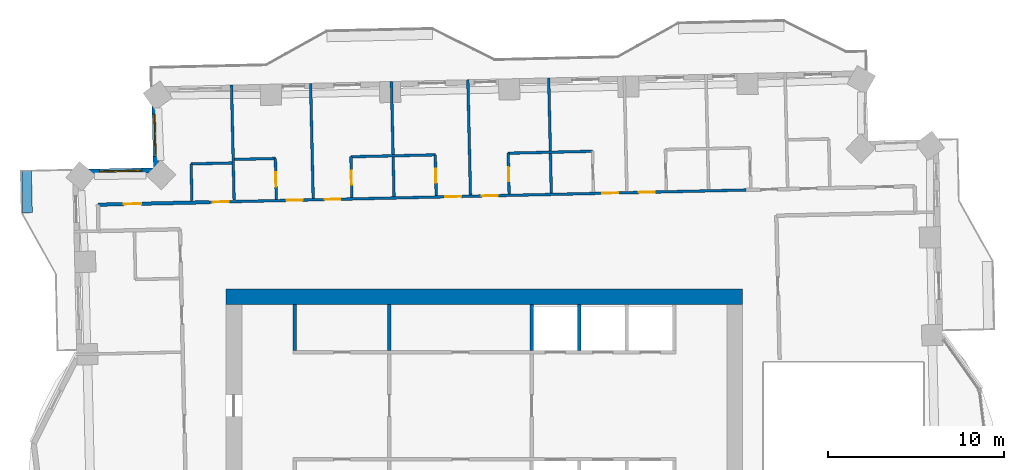
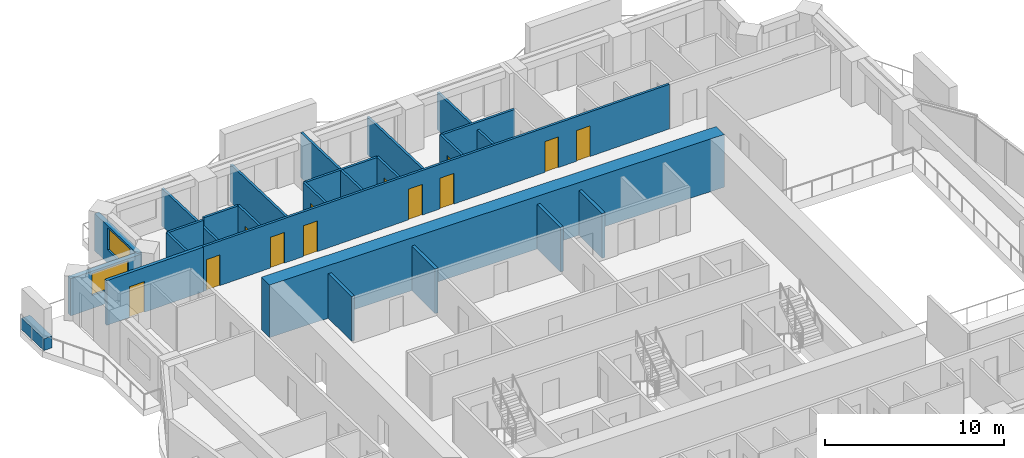
# One storey, part 10 of 16: 24 walls, 12 doors, 2 windows, 14 openings.
"""IFC4 building model written with IfcOpenShell, lengths in metres."""

from ifc_helpers import new_model, si_unit, direction, frame, frame_2d, origin, place, context, subcontext, project, spatial, rectangle, extrude, material, layer, layer_set, type_object, element, fill, save


model = new_model("IFC4")

# Units and contexts
model_context = context("Model", 3, precision=1e-05, world=origin(), true_north=direction((0.0, 1.0)))
body_context = subcontext(model_context, "Body", "Model", "MODEL_VIEW")
ifc_project = project(units=[si_unit("LENGTHUNIT", "METRE"), si_unit("AREAUNIT", "SQUARE_METRE"), si_unit("VOLUMEUNIT", "CUBIC_METRE"), si_unit("PLANEANGLEUNIT", "RADIAN"), si_unit("MASSUNIT", "GRAM", prefix="KILO")], contexts=[model_context])

# Site, building, storey
site_placement = place(None, origin())
site = spatial("IfcSite", under=ifc_project, at=site_placement, CompositionType="ELEMENT")
building_placement = place(site_placement, origin())
building = spatial("IfcBuilding", under=site, at=building_placement, Name="Mangrove Gate Tower", CompositionType="ELEMENT")
storey_placement = place(building_placement, frame((0.0, 0.0, 175.300048828125)))
storey = spatial("IfcBuildingStorey", under=building, at=storey_placement, Name="L44", CompositionType="ELEMENT", Elevation=175.300048828125)

# Walls
ifc_material_1 = material(Name="Concrete C32/40", Category="concrete")
ifc_layer_1 = layer(ifc_material_1, 0.199951171875)
ifc_layer_set_1 = layer_set([ifc_layer_1], Name="Core room wall 200 C32/40")
wall_type_1 = type_object("IfcWallType", Name="Core room wall 200 C32/40", PredefinedType="STANDARD", material=ifc_layer_set_1)
for number, where, z_axis, x_axis, name in (
    (1, (-10.800048828125, 8.199951171875, 0.0), (0.0, 0.0, 1.0), (0.0, 1.0, 0.0), "WALL-L44-CORE-25"),
    (2, (-5.39990234375, 8.199951171875, 0.0), (0.0, 0.0, 1.0), (0.0, 1.0, 0.0), "WALL-L44-CORE-26"),
):
    element("IfcWall", number, at=place(storey_placement, frame(where, z_axis=z_axis, x_axis=x_axis)), inside=storey, type_object=wall_type_1, Name=name, PredefinedType="STANDARD", context=body_context, shape_type="SweptSolid", body=[
        extrude(rectangle(XDim=2.60009765625, YDim=0.199951171875, at=frame_2d((1.300048828125, 0.0))), origin(), (0.0, 0.0, 1.0), 3.050048828125),
    ])
ifc_material_2 = material(Name="Concrete C60/75", Category="concrete")
ifc_layer_2 = layer(ifc_material_2, 0.199951171875)
ifc_layer_set_2 = layer_set([ifc_layer_2], Name="Core shaft wall 200 C60/75")
wall_type_2 = type_object("IfcWallType", Name="Core shaft wall 200 C60/75", PredefinedType="SHEAR", material=ifc_layer_set_2)
for number, where, z_axis, x_axis, name in (
    (3, (2.699951171875, 8.199951171875, 0.0), (0.0, 0.0, 1.0), (0.0, 1.0, 0.0), "WALL-L44-CORE-27"),
    (4, (5.39990234375, 8.199951171875, 0.0), (0.0, 0.0, 1.0), (0.0, 1.0, 0.0), "WALL-L44-CORE-28"),
):
    element("IfcWall", number, at=place(storey_placement, frame(where, z_axis=z_axis, x_axis=x_axis)), inside=storey, type_object=wall_type_2, Name=name, PredefinedType="SHEAR", context=body_context, shape_type="SweptSolid", body=[
        extrude(rectangle(XDim=2.60009765625, YDim=0.199951171875, at=frame_2d((1.300048828125, 0.0))), origin(), (0.0, 0.0, 1.0), 3.050048828125),
    ])
ifc_material_3 = material(Name="Concrete C60/75", Category="concrete")
ifc_layer_3 = layer(ifc_material_3, 0.89990234375)
ifc_layer_set_3 = layer_set([ifc_layer_3], Name="Core wall 900 C60/75")
wall_type_3 = type_object("IfcWallType", Name="Core wall 900 C60/75", PredefinedType="SHEAR", material=ifc_layer_set_3)
wall_1_placement = place(storey_placement, frame((-14.699951171875, 11.25, 0.0), z_axis=(0.0, 0.0, 1.0), x_axis=(1.0, 0.0, 0.0)))
element("IfcWall", 5, at=wall_1_placement, inside=storey, type_object=wall_type_3, Name="WALL-L44-CORE-2", PredefinedType="SHEAR", context=body_context, shape_type="SweptSolid", body=[
    extrude(rectangle(XDim=29.39990234375, YDim=0.89990234375, at=frame_2d((14.699951171875, 0.0))), origin(), (0.0, 0.0, 1.0), 3.599853515625),
])

# Wall, opening, door
ifc_material_4 = material(Name="Gypsum board on steel stud, EI 60", Category="steel")
ifc_layer_4 = layer(ifc_material_4, 0.199951171875)
ifc_layer_set_4 = layer_set([ifc_layer_4], Name="Corridor wall EI 60")
wall_type_4 = type_object("IfcWallType", Name="Corridor wall EI 60", PredefinedType="PARTITIONING", material=ifc_layer_set_4)
wall_2_placement = place(storey_placement, frame((-21.98291015625, 16.489013671875, 0.0), z_axis=(0.0, 0.0, 1.0), x_axis=(0.999744930163, 0.022584831499, 0.0)))
wall_2 = element("IfcWall", 6, at=wall_2_placement, inside=storey, type_object=wall_type_4, Name="WALL-L44-048", PredefinedType="PARTITIONING", context=body_context, shape_type="SweptSolid", body=[
    extrude(rectangle(XDim=6.334716796875, YDim=0.199951171875, at=frame_2d((3.16748046875, 0.0))), origin(), (0.0, 0.0, 1.0), 3.050048828125),
])
opening_1_placement = place(wall_2_placement, frame((1.47509765625, 0.0, 0.0)))
opening_1 = element("IfcOpeningElement", 7, at=opening_1_placement, cuts=wall_2, Name="Opening AD", PredefinedType="OPENING", context=body_context, shape_type="SweptSolid", body=[
    extrude(rectangle(XDim=1.0, YDim=2.10009765625, at=frame_2d((0.5, 1.050048828125))), frame((0.0, 0.10986328125, 0.0), z_axis=(0.0, -1.0, 0.0), x_axis=(1.0, 0.0, 0.0)), (0.0, 0.0, 1.0), 0.219970703125),
])
ifc_material_5 = material(Name="Timber door leaf", Category="wood")
door_type_1 = type_object("IfcDoorType", Name="Amenity door 1000", OperationType="SINGLE_SWING_LEFT", PredefinedType="DOOR", material=ifc_material_5)
door_1_placement = place(opening_1_placement, origin())
door_1 = element("IfcDoor", 8, at=door_1_placement, inside=storey, type_object=door_type_1, Name="DOOR-L44-KIT-c5a", OperationType="SINGLE_SWING_RIGHT", OverallHeight=2.10009765625, OverallWidth=1.0, PredefinedType="DOOR", context=body_context, shape_type="SweptSolid", body=[
    extrude(rectangle(XDim=1.0, YDim=2.10009765625, at=frame_2d((0.5, 1.050048828125))), frame((0.0, 0.02490234375, 0.0), z_axis=(0.0, -1.0, 0.0), x_axis=(1.0, 0.0, 0.0)), (0.0, 0.0, 1.0), 0.050048828125),
])
fill(opening_1, door_1)

# Wall, opening, window
ifc_material_6 = material(Name="Limestone", Category="masonry")
ifc_layer_5 = layer(ifc_material_6, 0.0400390625, Name="Limestone cladding")
ifc_material_7 = material(Name="Ventilated air gap")
ifc_layer_6 = layer(ifc_material_7, 0.0400390625, Name="Ventilated cavity")
ifc_material_8 = material(Name="Mineral wool insulation")
ifc_layer_7 = layer(ifc_material_8, 0.06005859375, Name="Insulation")
ifc_material_9 = material(Name="Breather membrane")
ifc_layer_8 = layer(ifc_material_9, 0.001953125, Name="Breather membrane")
ifc_material_10 = material(Name="Concrete C20/25 blockwork", Category="masonry")
ifc_layer_9 = layer(ifc_material_10, 0.14990234375, Name="Blockwork backing wall")
ifc_material_11 = material(Name="Gypsum plaster")
ifc_layer_10 = layer(ifc_material_11, 0.008056640625, Name="Internal plaster")
ifc_layer_set_5 = layer_set([ifc_layer_5, ifc_layer_6, ifc_layer_7, ifc_layer_8, ifc_layer_9, ifc_layer_10], Name="External wall 300 limestone cladding")
wall_type_5 = type_object("IfcWallType", Name="External wall 300 limestone cladding", PredefinedType="SOLIDWALL", material=ifc_layer_set_5)
wall_3_placement = place(storey_placement, frame((-18.781005859375, 23.04296875, 0.0), z_axis=(0.0, 0.0, 1.0), x_axis=(0.022821468877, -0.999739556364, 0.0)))
wall_3 = element("IfcWall", 9, at=wall_3_placement, inside=storey, type_object=wall_type_5, Name="WALL-L44-W6", PredefinedType="SOLIDWALL", context=body_context, shape_type="SweptSolid", body=[
    extrude(rectangle(XDim=4.60009765625, YDim=0.300048828125, at=frame_2d((2.300048828125, 0.0))), origin(), (0.0, 0.0, 1.0), 2.550048828125),
])
opening_2_placement = place(wall_3_placement, frame((1.403076171875, 0.0, 0.89990234375)))
opening_2 = element("IfcOpeningElement", 10, at=opening_2_placement, cuts=wall_3, Name="Opening W2", PredefinedType="OPENING", context=body_context, shape_type="SweptSolid", body=[
    extrude(rectangle(XDim=2.39990234375, YDim=1.5, at=frame_2d((1.199951171875, 0.75))), frame((0.0, 0.159912109375, 0.0), z_axis=(0.0, -1.0, 0.0), x_axis=(1.0, 0.0, 0.0)), (0.0, 0.0, 1.0), 0.320068359375),
])
ifc_material_12 = material(Name="Aluminium frame with double-glazed low-e glass", Category="aluminium")
window_type = type_object("IfcWindowType", Name="Corner room window 2400x1500", PartitioningType="DOUBLE_PANEL_VERTICAL", PredefinedType="WINDOW", material=ifc_material_12)
window_1_placement = place(opening_2_placement, origin())
window_1 = element("IfcWindow", 11, at=window_1_placement, inside=storey, type_object=window_type, Name="WIN-L44-W6-1", OverallHeight=1.5, OverallWidth=2.39990234375, PartitioningType="DOUBLE_PANEL_VERTICAL", PredefinedType="WINDOW", context=body_context, shape_type="SweptSolid", body=[
    extrude(rectangle(XDim=2.39990234375, YDim=1.5, at=frame_2d((1.199951171875, 0.75))), frame((0.0, 0.030029296875, 0.0), z_axis=(0.0, -1.0, 0.0), x_axis=(1.0, 0.0, 0.0)), (0.0, 0.0, 1.0), 0.06005859375),
])
fill(opening_2, window_1)

wall_4_placement = place(storey_placement, frame((-18.676025390625, 18.444091796875, 0.0), z_axis=(0.0, 0.0, 1.0), x_axis=(-0.999744377441, -0.022609285172, 0.0)))
wall_4 = element("IfcWall", 12, at=wall_4_placement, inside=storey, type_object=wall_type_5, Name="WALL-L44-N7", PredefinedType="SOLIDWALL", context=body_context, shape_type="SweptSolid", body=[
    extrude(rectangle(XDim=4.60009765625, YDim=0.300048828125, at=frame_2d((2.300048828125, 0.0))), origin(), (0.0, 0.0, 1.0), 2.550048828125),
])
opening_3_placement = place(wall_4_placement, frame((0.81298828125, 0.0, 0.89990234375)))
opening_3 = element("IfcOpeningElement", 13, at=opening_3_placement, cuts=wall_4, Name="Opening W2", PredefinedType="OPENING", context=body_context, shape_type="SweptSolid", body=[
    extrude(rectangle(XDim=2.39990234375, YDim=1.5, at=frame_2d((1.199951171875, 0.75))), frame((0.0, 0.159912109375, 0.0), z_axis=(0.0, -1.0, 0.0), x_axis=(1.0, 0.0, 0.0)), (0.0, 0.0, 1.0), 0.320068359375),
])
window_2_placement = place(opening_3_placement, origin())
window_2 = element("IfcWindow", 14, at=window_2_placement, inside=storey, type_object=window_type, Name="WIN-L44-N7-1", OverallHeight=1.5, OverallWidth=2.39990234375, PartitioningType="DOUBLE_PANEL_VERTICAL", PredefinedType="WINDOW", context=body_context, shape_type="SweptSolid", body=[
    extrude(rectangle(XDim=2.39990234375, YDim=1.5, at=frame_2d((1.199951171875, 0.75))), frame((0.0, 0.030029296875, 0.0), z_axis=(0.0, -1.0, 0.0), x_axis=(1.0, 0.0, 0.0)), (0.0, 0.0, 1.0), 0.06005859375),
])
fill(opening_3, window_2)

# Wall, openings, doors
ifc_material_13 = material(Name="Gypsum board on steel stud, EI 60", Category="steel")
ifc_layer_11 = layer(ifc_material_13, 0.14990234375)
ifc_layer_set_6 = layer_set([ifc_layer_11], Name="Party wall 150 EI 60")
wall_type_6 = type_object("IfcWallType", Name="Party wall 150 EI 60", PredefinedType="PARTITIONING", material=ifc_layer_set_6)
wall_5_placement = place(storey_placement, frame((-15.64892578125, 16.633056640625, 0.0), z_axis=(0.0, 0.0, 1.0), x_axis=(0.999743261737, 0.022658565952, 0.0)))
wall_5 = element("IfcWall", 15, at=wall_5_placement, inside=storey, type_object=wall_type_6, Name="WALL-L44-049", PredefinedType="PARTITIONING", context=body_context, shape_type="SweptSolid", body=[
    extrude(rectangle(XDim=30.53564453125, YDim=0.14990234375, at=frame_2d((15.267822265625, 0.0))), origin(), (0.0, 0.0, 1.0), 3.050048828125),
])
opening_4_placement = place(wall_5_placement, frame((24.43994140625, 0.0, 0.0)))
opening_4 = element("IfcOpeningElement", 16, at=opening_4_placement, cuts=wall_5, Name="Opening BD", PredefinedType="OPENING", context=body_context, shape_type="SweptSolid", body=[
    extrude(rectangle(XDim=0.89990234375, YDim=2.10009765625, at=frame_2d((0.449951171875, 1.050048828125))), frame((0.0, 0.0849609375, 0.0), z_axis=(0.0, -1.0, 0.0), x_axis=(1.0, 0.0, 0.0)), (0.0, 0.0, 1.0), 0.169921875),
])
opening_5_placement = place(wall_5_placement, frame((22.364990234375, 0.0, 0.0)))
opening_5 = element("IfcOpeningElement", 17, at=opening_5_placement, cuts=wall_5, Name="Opening BD", PredefinedType="OPENING", context=body_context, shape_type="SweptSolid", body=[
    extrude(rectangle(XDim=0.89990234375, YDim=2.10009765625, at=frame_2d((0.449951171875, 1.050048828125))), frame((0.0, 0.0849609375, 0.0), z_axis=(0.0, -1.0, 0.0), x_axis=(1.0, 0.0, 0.0)), (0.0, 0.0, 1.0), 0.169921875),
])
opening_6_placement = place(wall_5_placement, frame((15.514892578125, 0.0, 0.0)))
opening_6 = element("IfcOpeningElement", 18, at=opening_6_placement, cuts=wall_5, Name="Opening BD", PredefinedType="OPENING", context=body_context, shape_type="SweptSolid", body=[
    extrude(rectangle(XDim=0.89990234375, YDim=2.10009765625, at=frame_2d((0.449951171875, 1.050048828125))), frame((0.0, 0.0849609375, 0.0), z_axis=(0.0, -1.0, 0.0), x_axis=(1.0, 0.0, 0.0)), (0.0, 0.0, 1.0), 0.169921875),
])
opening_7_placement = place(wall_5_placement, frame((13.43994140625, 0.0, 0.0)))
opening_7 = element("IfcOpeningElement", 19, at=opening_7_placement, cuts=wall_5, Name="Opening BD", PredefinedType="OPENING", context=body_context, shape_type="SweptSolid", body=[
    extrude(rectangle(XDim=0.89990234375, YDim=2.10009765625, at=frame_2d((0.449951171875, 1.050048828125))), frame((0.0, 0.0849609375, 0.0), z_axis=(0.0, -1.0, 0.0), x_axis=(1.0, 0.0, 0.0)), (0.0, 0.0, 1.0), 0.169921875),
])
opening_8_placement = place(wall_5_placement, frame((6.56494140625, 0.0, 0.0)))
opening_8 = element("IfcOpeningElement", 20, at=opening_8_placement, cuts=wall_5, Name="Opening BD", PredefinedType="OPENING", context=body_context, shape_type="SweptSolid", body=[
    extrude(rectangle(XDim=0.89990234375, YDim=2.10009765625, at=frame_2d((0.449951171875, 1.050048828125))), frame((0.0, 0.0849609375, 0.0), z_axis=(0.0, -1.0, 0.0), x_axis=(1.0, 0.0, 0.0)), (0.0, 0.0, 1.0), 0.169921875),
])
opening_9_placement = place(wall_5_placement, frame((4.4150390625, 0.0, 0.0)))
opening_9 = element("IfcOpeningElement", 21, at=opening_9_placement, cuts=wall_5, Name="Opening BD", PredefinedType="OPENING", context=body_context, shape_type="SweptSolid", body=[
    extrude(rectangle(XDim=0.89990234375, YDim=2.10009765625, at=frame_2d((0.449951171875, 1.050048828125))), frame((0.0, 0.0849609375, 0.0), z_axis=(0.0, -1.0, 0.0), x_axis=(1.0, 0.0, 0.0)), (0.0, 0.0, 1.0), 0.169921875),
])
opening_10_placement = place(wall_5_placement, frame((0.199951171875, 0.0, 0.0)))
opening_10 = element("IfcOpeningElement", 22, at=opening_10_placement, cuts=wall_5, Name="Opening SD", PredefinedType="OPENING", context=body_context, shape_type="SweptSolid", body=[
    extrude(rectangle(XDim=0.89990234375, YDim=2.10009765625, at=frame_2d((0.449951171875, 1.050048828125))), frame((0.0, 0.0849609375, 0.0), z_axis=(0.0, -1.0, 0.0), x_axis=(1.0, 0.0, 0.0)), (0.0, 0.0, 1.0), 0.169921875),
])
ifc_material_14 = material(Name="Timber door leaf", Category="wood")
door_type_2 = type_object("IfcDoorType", Name="Bedroom door 900", OperationType="SINGLE_SWING_LEFT", PredefinedType="DOOR", material=ifc_material_14)
door_2_placement = place(opening_4_placement, origin())
door_2 = element("IfcDoor", 23, at=door_2_placement, inside=storey, type_object=door_type_2, Name="DOOR-L44-BED-c309", OperationType="SINGLE_SWING_LEFT", OverallHeight=2.10009765625, OverallWidth=0.89990234375, PredefinedType="DOOR", context=body_context, shape_type="SweptSolid", body=[
    extrude(rectangle(XDim=0.89990234375, YDim=2.10009765625, at=frame_2d((0.449951171875, 1.050048828125))), frame((0.0, 0.02490234375, 0.0), z_axis=(0.0, -1.0, 0.0), x_axis=(1.0, 0.0, 0.0)), (0.0, 0.0, 1.0), 0.050048828125),
])
fill(opening_4, door_2)
door_3_placement = place(opening_5_placement, origin())
door_3 = element("IfcDoor", 24, at=door_3_placement, inside=storey, type_object=door_type_2, Name="DOOR-L44-BED-c410", OperationType="SINGLE_SWING_RIGHT", OverallHeight=2.10009765625, OverallWidth=0.89990234375, PredefinedType="DOOR", context=body_context, shape_type="SweptSolid", body=[
    extrude(rectangle(XDim=0.89990234375, YDim=2.10009765625, at=frame_2d((0.449951171875, 1.050048828125))), frame((0.0, 0.02490234375, 0.0), z_axis=(0.0, -1.0, 0.0), x_axis=(1.0, 0.0, 0.0)), (0.0, 0.0, 1.0), 0.050048828125),
])
fill(opening_5, door_3)
door_4_placement = place(opening_6_placement, origin())
door_4 = element("IfcDoor", 25, at=door_4_placement, inside=storey, type_object=door_type_2, Name="DOOR-L44-BED-c411", OperationType="SINGLE_SWING_LEFT", OverallHeight=2.10009765625, OverallWidth=0.89990234375, PredefinedType="DOOR", context=body_context, shape_type="SweptSolid", body=[
    extrude(rectangle(XDim=0.89990234375, YDim=2.10009765625, at=frame_2d((0.449951171875, 1.050048828125))), frame((0.0, 0.02490234375, 0.0), z_axis=(0.0, -1.0, 0.0), x_axis=(1.0, 0.0, 0.0)), (0.0, 0.0, 1.0), 0.050048828125),
])
fill(opening_6, door_4)
door_5_placement = place(opening_7_placement, origin())
door_5 = element("IfcDoor", 26, at=door_5_placement, inside=storey, type_object=door_type_2, Name="DOOR-L44-BED-c412", OperationType="SINGLE_SWING_RIGHT", OverallHeight=2.10009765625, OverallWidth=0.89990234375, PredefinedType="DOOR", context=body_context, shape_type="SweptSolid", body=[
    extrude(rectangle(XDim=0.89990234375, YDim=2.10009765625, at=frame_2d((0.449951171875, 1.050048828125))), frame((0.0, 0.02490234375, 0.0), z_axis=(0.0, -1.0, 0.0), x_axis=(1.0, 0.0, 0.0)), (0.0, 0.0, 1.0), 0.050048828125),
])
fill(opening_7, door_5)
door_6_placement = place(opening_8_placement, origin())
door_6 = element("IfcDoor", 27, at=door_6_placement, inside=storey, type_object=door_type_2, Name="DOOR-L44-BED-c513", OperationType="SINGLE_SWING_LEFT", OverallHeight=2.10009765625, OverallWidth=0.89990234375, PredefinedType="DOOR", context=body_context, shape_type="SweptSolid", body=[
    extrude(rectangle(XDim=0.89990234375, YDim=2.10009765625, at=frame_2d((0.449951171875, 1.050048828125))), frame((0.0, 0.02490234375, 0.0), z_axis=(0.0, -1.0, 0.0), x_axis=(1.0, 0.0, 0.0)), (0.0, 0.0, 1.0), 0.050048828125),
])
fill(opening_8, door_6)
door_7_placement = place(opening_9_placement, origin())
door_7 = element("IfcDoor", 28, at=door_7_placement, inside=storey, type_object=door_type_2, Name="DOOR-L44-BED-c514", OperationType="SINGLE_SWING_RIGHT", OverallHeight=2.10009765625, OverallWidth=0.89990234375, PredefinedType="DOOR", context=body_context, shape_type="SweptSolid", body=[
    extrude(rectangle(XDim=0.89990234375, YDim=2.10009765625, at=frame_2d((0.449951171875, 1.050048828125))), frame((0.0, 0.02490234375, 0.0), z_axis=(0.0, -1.0, 0.0), x_axis=(1.0, 0.0, 0.0)), (0.0, 0.0, 1.0), 0.050048828125),
])
fill(opening_9, door_7)
ifc_material_15 = material(Name="Timber door leaf", Category="wood")
door_type_3 = type_object("IfcDoorType", Name="Service room door 900", OperationType="SINGLE_SWING_LEFT", PredefinedType="DOOR", material=ifc_material_15)
door_8_placement = place(opening_10_placement, origin())
door_8 = element("IfcDoor", 29, at=door_8_placement, inside=storey, type_object=door_type_3, Name="DOOR-L44-LIN-c5a", OperationType="SINGLE_SWING_RIGHT", OverallHeight=2.10009765625, OverallWidth=0.89990234375, PredefinedType="DOOR", context=body_context, shape_type="SweptSolid", body=[
    extrude(rectangle(XDim=0.89990234375, YDim=2.10009765625, at=frame_2d((0.449951171875, 1.050048828125))), frame((0.0, 0.02490234375, 0.0), z_axis=(0.0, -1.0, 0.0), x_axis=(1.0, 0.0, 0.0)), (0.0, 0.0, 1.0), 0.050048828125),
])
fill(opening_10, door_8)

# Walls
wall_6_placement = place(storey_placement, frame((-16.635986328125, 16.714111328125, 0.0), z_axis=(0.0, 0.0, 1.0), x_axis=(-0.022898307927, 0.999737799372, 0.0)))
element("IfcWall", 30, at=wall_6_placement, inside=storey, type_object=wall_type_6, Name="WALL-L44-051", PredefinedType="PARTITIONING", context=body_context, shape_type="SweptSolid", body=[
    extrude(rectangle(XDim=2.100341796875, YDim=0.14990234375, at=frame_2d((1.05029296875, 0.0))), origin(), (0.0, 0.0, 1.0), 3.050048828125),
])
wall_7_placement = place(storey_placement, frame((-14.237060546875, 16.743896484375, 0.0), z_axis=(0.0, 0.0, 1.0), x_axis=(-0.022585104341, 0.999744923999, 0.0)))
element("IfcWall", 31, at=wall_7_placement, inside=storey, type_object=wall_type_6, Name="WALL-L44-052", PredefinedType="PARTITIONING", context=body_context, shape_type="SweptSolid", body=[
    extrude(rectangle(XDim=6.55078125, YDim=0.14990234375, at=frame_2d((3.275390625, 0.0))), origin(), (0.0, 0.0, 1.0), 2.550048828125),
])

# Wall, opening, door
wall_8_placement = place(storey_placement, frame((-11.8369140625, 16.798095703125, 0.0), z_axis=(0.0, 0.0, 1.0), x_axis=(-0.02279059109, 0.999740260747, 0.0)))
wall_8 = element("IfcWall", 32, at=wall_8_placement, inside=storey, type_object=wall_type_6, Name="WALL-L44-053", PredefinedType="PARTITIONING", context=body_context, shape_type="SweptSolid", body=[
    extrude(rectangle(XDim=2.324462890625, YDim=0.14990234375, at=frame_2d((1.162109375, 0.0))), origin(), (0.0, 0.0, 1.0), 3.050048828125),
])
opening_11_placement = place(wall_8_placement, frame((0.72509765625, 0.0, 0.0)))
opening_11 = element("IfcOpeningElement", 33, at=opening_11_placement, cuts=wall_8, Name="Opening ED", PredefinedType="OPENING", context=body_context, shape_type="SweptSolid", body=[
    extrude(rectangle(XDim=0.800048828125, YDim=2.10009765625, at=frame_2d((0.39990234375, 1.050048828125))), frame((0.0, 0.0849609375, 0.0), z_axis=(0.0, -1.0, 0.0), x_axis=(1.0, 0.0, 0.0)), (0.0, 0.0, 1.0), 0.169921875),
])
ifc_material_16 = material(Name="Timber door leaf", Category="wood")
door_type_4 = type_object("IfcDoorType", Name="En-suite door 800", OperationType="SINGLE_SWING_LEFT", PredefinedType="DOOR", material=ifc_material_16)
door_9_placement = place(opening_11_placement, origin())
door_9 = element("IfcDoor", 34, at=door_9_placement, inside=storey, type_object=door_type_4, Name="DOOR-L44-ENS-c514", OperationType="SINGLE_SWING_RIGHT", OverallHeight=2.10009765625, OverallWidth=0.800048828125, PredefinedType="DOOR", context=body_context, shape_type="SweptSolid", body=[
    extrude(rectangle(XDim=0.800048828125, YDim=2.10009765625, at=frame_2d((0.39990234375, 1.050048828125))), frame((0.0, 0.02490234375, 0.0), z_axis=(0.0, -1.0, 0.0), x_axis=(1.0, 0.0, 0.0)), (0.0, 0.0, 1.0), 0.050048828125),
])
fill(opening_11, door_9)

# Wall
wall_9_placement = place(storey_placement, frame((-9.738037109375, 16.845947265625, 0.0), z_axis=(0.0, 0.0, 1.0), x_axis=(-0.022585104341, 0.999744923999, 0.0)))
element("IfcWall", 35, at=wall_9_placement, inside=storey, type_object=wall_type_6, Name="WALL-L44-054", PredefinedType="PARTITIONING", context=body_context, shape_type="SweptSolid", body=[
    extrude(rectangle(XDim=6.55078125, YDim=0.14990234375, at=frame_2d((3.275390625, 0.0))), origin(), (0.0, 0.0, 1.0), 2.550048828125),
])

# Wall, opening, door
wall_10_placement = place(storey_placement, frame((-7.5380859375, 16.89599609375, 0.0), z_axis=(0.0, 0.0, 1.0), x_axis=(-0.02279059109, 0.999740260747, 0.0)))
wall_10 = element("IfcWall", 36, at=wall_10_placement, inside=storey, type_object=wall_type_6, Name="WALL-L44-055", PredefinedType="PARTITIONING", context=body_context, shape_type="SweptSolid", body=[
    extrude(rectangle(XDim=2.324462890625, YDim=0.14990234375, at=frame_2d((1.162109375, 0.0))), origin(), (0.0, 0.0, 1.0), 3.050048828125),
])
opening_12_placement = place(wall_10_placement, frame((0.72509765625, 0.0, 0.0)))
opening_12 = element("IfcOpeningElement", 37, at=opening_12_placement, cuts=wall_10, Name="Opening ED", PredefinedType="OPENING", context=body_context, shape_type="SweptSolid", body=[
    extrude(rectangle(XDim=0.800048828125, YDim=2.10009765625, at=frame_2d((0.39990234375, 1.050048828125))), frame((0.0, 0.0849609375, 0.0), z_axis=(0.0, -1.0, 0.0), x_axis=(1.0, 0.0, 0.0)), (0.0, 0.0, 1.0), 0.169921875),
])
door_10_placement = place(opening_12_placement, origin())
door_10 = element("IfcDoor", 38, at=door_10_placement, inside=storey, type_object=door_type_4, Name="DOOR-L44-ENS-c513", OperationType="SINGLE_SWING_LEFT", OverallHeight=2.10009765625, OverallWidth=0.800048828125, PredefinedType="DOOR", context=body_context, shape_type="SweptSolid", body=[
    extrude(rectangle(XDim=0.800048828125, YDim=2.10009765625, at=frame_2d((0.39990234375, 1.050048828125))), frame((0.0, 0.02490234375, 0.0), z_axis=(0.0, -1.0, 0.0), x_axis=(1.0, 0.0, 0.0)), (0.0, 0.0, 1.0), 0.050048828125),
])
fill(opening_12, door_10)

# Wall
wall_11_placement = place(storey_placement, frame((-5.138916015625, 16.949951171875, 0.0), z_axis=(0.0, 0.0, 1.0), x_axis=(-0.022622354432, 0.999744081793, 0.0)))
element("IfcWall", 39, at=wall_11_placement, inside=storey, type_object=wall_type_6, Name="WALL-L44-056", PredefinedType="PARTITIONING", context=body_context, shape_type="SweptSolid", body=[
    extrude(rectangle(XDim=6.55078125, YDim=0.14990234375, at=frame_2d((3.275390625, 0.0))), origin(), (0.0, 0.0, 1.0), 3.050048828125),
])

# Wall, opening, door
wall_12_placement = place(storey_placement, frame((-2.739013671875, 17.0048828125, 0.0), z_axis=(0.0, 0.0, 1.0), x_axis=(-0.022788198363, 0.99974031529, 0.0)))
wall_12 = element("IfcWall", 40, at=wall_12_placement, inside=storey, type_object=wall_type_6, Name="WALL-L44-057", PredefinedType="PARTITIONING", context=body_context, shape_type="SweptSolid", body=[
    extrude(rectangle(XDim=2.32470703125, YDim=0.14990234375, at=frame_2d((1.162353515625, 0.0))), origin(), (0.0, 0.0, 1.0), 3.050048828125),
])
opening_13_placement = place(wall_12_placement, frame((0.72509765625, 0.0, 0.0)))
opening_13 = element("IfcOpeningElement", 41, at=opening_13_placement, cuts=wall_12, Name="Opening ED", PredefinedType="OPENING", context=body_context, shape_type="SweptSolid", body=[
    extrude(rectangle(XDim=0.800048828125, YDim=2.10009765625, at=frame_2d((0.39990234375, 1.050048828125))), frame((0.0, 0.0849609375, 0.0), z_axis=(0.0, -1.0, 0.0), x_axis=(1.0, 0.0, 0.0)), (0.0, 0.0, 1.0), 0.169921875),
])
door_11_placement = place(opening_13_placement, origin())
door_11 = element("IfcDoor", 42, at=door_11_placement, inside=storey, type_object=door_type_4, Name="DOOR-L44-ENS-c412", OperationType="SINGLE_SWING_RIGHT", OverallHeight=2.10009765625, OverallWidth=0.800048828125, PredefinedType="DOOR", context=body_context, shape_type="SweptSolid", body=[
    extrude(rectangle(XDim=0.800048828125, YDim=2.10009765625, at=frame_2d((0.39990234375, 1.050048828125))), frame((0.0, 0.02490234375, 0.0), z_axis=(0.0, -1.0, 0.0), x_axis=(1.0, 0.0, 0.0)), (0.0, 0.0, 1.0), 0.050048828125),
])
fill(opening_13, door_11)

# Wall
wall_13_placement = place(storey_placement, frame((-0.7900390625, 17.049072265625, 0.0), z_axis=(0.0, 0.0, 1.0), x_axis=(-0.022734951231, 0.999741527592, 0.0)))
element("IfcWall", 43, at=wall_13_placement, inside=storey, type_object=wall_type_6, Name="WALL-L44-058", PredefinedType="PARTITIONING", context=body_context, shape_type="SweptSolid", body=[
    extrude(rectangle(XDim=6.550537109375, YDim=0.14990234375, at=frame_2d((3.275390625, 0.0))), origin(), (0.0, 0.0, 1.0), 2.550048828125),
])

# Wall, opening, door
wall_14_placement = place(storey_placement, frame((1.408935546875, 17.09912109375, 0.0), z_axis=(0.0, 0.0, 1.0), x_axis=(-0.022370700241, 0.999749744571, 0.0)))
wall_14 = element("IfcWall", 44, at=wall_14_placement, inside=storey, type_object=wall_type_6, Name="WALL-L44-059", PredefinedType="PARTITIONING", context=body_context, shape_type="SweptSolid", body=[
    extrude(rectangle(XDim=2.324462890625, YDim=0.14990234375, at=frame_2d((1.162109375, 0.0))), origin(), (0.0, 0.0, 1.0), 3.050048828125),
])
opening_14_placement = place(wall_14_placement, frame((0.72509765625, 0.0, 0.0)))
opening_14 = element("IfcOpeningElement", 45, at=opening_14_placement, cuts=wall_14, Name="Opening ED", PredefinedType="OPENING", context=body_context, shape_type="SweptSolid", body=[
    extrude(rectangle(XDim=0.800048828125, YDim=2.10009765625, at=frame_2d((0.39990234375, 1.050048828125))), frame((0.0, 0.0849609375, 0.0), z_axis=(0.0, -1.0, 0.0), x_axis=(1.0, 0.0, 0.0)), (0.0, 0.0, 1.0), 0.169921875),
])
door_12_placement = place(opening_14_placement, origin())
door_12 = element("IfcDoor", 46, at=door_12_placement, inside=storey, type_object=door_type_4, Name="DOOR-L44-ENS-c411", OperationType="SINGLE_SWING_LEFT", OverallHeight=2.10009765625, OverallWidth=0.800048828125, PredefinedType="DOOR", context=body_context, shape_type="SweptSolid", body=[
    extrude(rectangle(XDim=0.800048828125, YDim=2.10009765625, at=frame_2d((0.39990234375, 1.050048828125))), frame((0.0, 0.02490234375, 0.0), z_axis=(0.0, -1.0, 0.0), x_axis=(1.0, 0.0, 0.0)), (0.0, 0.0, 1.0), 0.050048828125),
])
fill(opening_14, door_12)

# Walls
wall_15_placement = place(storey_placement, frame((3.80908203125, 17.153076171875, 0.0), z_axis=(0.0, 0.0, 1.0), x_axis=(-0.022772202332, 0.999740679777, 0.0)))
element("IfcWall", 47, at=wall_15_placement, inside=storey, type_object=wall_type_6, Name="WALL-L44-060", PredefinedType="PARTITIONING", context=body_context, shape_type="SweptSolid", body=[
    extrude(rectangle(XDim=6.550537109375, YDim=0.14990234375, at=frame_2d((3.275390625, 0.0))), origin(), (0.0, 0.0, 1.0), 2.550048828125),
])
wall_16_placement = place(storey_placement, frame((-16.68408203125, 18.81005859375, 0.0), z_axis=(0.0, 0.0, 1.0), x_axis=(0.999749744571, 0.022370700241, 0.0)))
element("IfcWall", 48, at=wall_16_placement, inside=storey, type_object=wall_type_6, Name="WALL-L44-068", PredefinedType="PARTITIONING", context=body_context, shape_type="SweptSolid", body=[
    extrude(rectangle(XDim=2.324462890625, YDim=0.14990234375, at=frame_2d((1.162109375, 0.0))), origin(), (0.0, 0.0, 1.0), 3.050048828125),
])
wall_17_placement = place(storey_placement, frame((-14.214111328125, 19.06591796875, 0.0), z_axis=(0.0, 0.0, 1.0), x_axis=(0.999749797124, 0.022368351553, 0.0)))
element("IfcWall", 49, at=wall_17_placement, inside=storey, type_object=wall_type_6, Name="WALL-L44-069", PredefinedType="PARTITIONING", context=body_context, shape_type="SweptSolid", body=[
    extrude(rectangle(XDim=2.32470703125, YDim=0.14990234375, at=frame_2d((1.162353515625, 0.0))), origin(), (0.0, 0.0, 1.0), 3.050048828125),
])
for number, where, z_axis, x_axis, name in (
    (50, (-7.591064453125, 19.216064453125, 0.0), (0.0, 0.0, 1.0), (0.999742701292, 0.022683280499, 0.0), "WALL-L44-070"),
    (51, (1.35693359375, 19.4189453125, 0.0), (0.0, 0.0, 1.0), (0.99974154664, 0.022734113616, 0.0), "WALL-L44-071"),
):
    element("IfcWall", number, at=place(storey_placement, frame(where, z_axis=z_axis, x_axis=x_axis)), inside=storey, type_object=wall_type_6, Name=name, PredefinedType="PARTITIONING", context=body_context, shape_type="SweptSolid", body=[
        extrude(rectangle(XDim=4.80029296875, YDim=0.14990234375, at=frame_2d((2.400146484375, 0.0))), origin(), (0.0, 0.0, 1.0), 3.050048828125),
    ])
ifc_material_17 = material(Name="Concrete C32/40", Category="concrete")
ifc_layer_12 = layer(ifc_material_17, 0.199951171875, Name="Planter trough wall")
ifc_material_18 = material(Name="Bituminous waterproofing membrane")
ifc_layer_13 = layer(ifc_material_18, 0.0048828125, Name="Waterproofing")
ifc_material_19 = material(Name="Drainage board and gravel")
ifc_layer_14 = layer(ifc_material_19, 0.044921875, Name="Drainage layer")
ifc_material_20 = material(Name="Planting soil")
ifc_layer_15 = layer(ifc_material_20, 0.300048828125, Name="Growing medium")
ifc_layer_set_7 = layer_set([ifc_layer_12, ifc_layer_13, ifc_layer_14, ifc_layer_15], Name="Planter wall 550 C32/40")
wall_type_7 = type_object("IfcWallType", Name="Planter wall 550 C32/40", PredefinedType="USERDEFINED", material=ifc_layer_set_7)
wall_18_placement = place(storey_placement, frame((-25.988037109375, 16.028076171875, 0.0), z_axis=(0.0, 0.0, 1.0), x_axis=(-0.022892431828, 0.999737933943, 0.0)))
element("IfcWall", 52, at=wall_18_placement, inside=storey, type_object=wall_type_7, Name="PLANTER L44 W0.1", ObjectType="PLANTER", PredefinedType="USERDEFINED", context=body_context, shape_type="SweptSolid", body=[
    extrude(rectangle(XDim=2.399658203125, YDim=0.550048828125, at=frame_2d((1.19970703125, 0.0))), origin(), (0.0, 0.0, 1.0), 0.800048828125),
])

save(model, "model.ifc")
